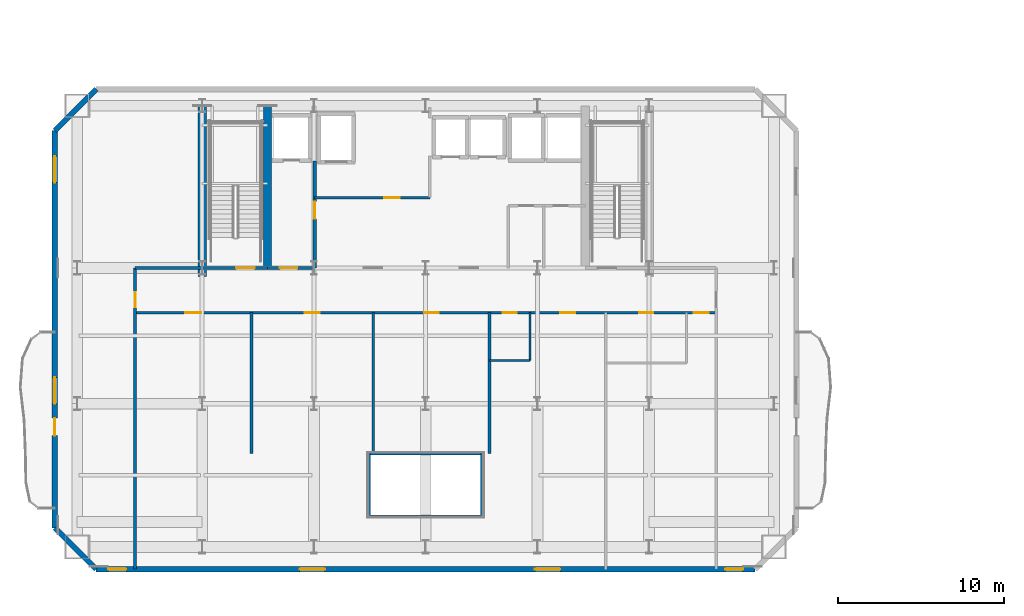
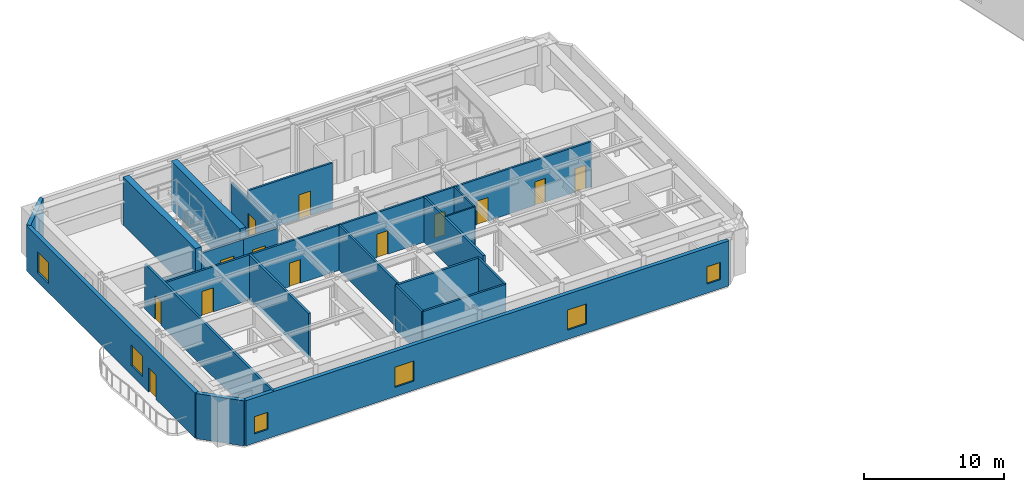
# One storey, part 7 of 15: 22 walls, 13 doors, 6 windows, 19 openings.
"""IFC4 building model written with IfcOpenShell, lengths in metres."""

from ifc_helpers import new_model, si_unit, direction, frame, frame_2d, origin, place, context, subcontext, project, spatial, rectangle, extrude, material, layer, layer_set, type_object, element, fill, save


model = new_model("IFC4")

# Units and contexts
model_context = context("Model", 3, precision=1e-05, world=origin(), true_north=direction((0.0, 1.0)))
body_context = subcontext(model_context, "Body", "Model", "MODEL_VIEW")
ifc_project = project(units=[si_unit("LENGTHUNIT", "METRE"), si_unit("AREAUNIT", "SQUARE_METRE"), si_unit("VOLUMEUNIT", "CUBIC_METRE"), si_unit("PLANEANGLEUNIT", "RADIAN"), si_unit("MASSUNIT", "GRAM", prefix="KILO")], contexts=[model_context])

# Site, building, storey
site_placement = place(None, origin())
site = spatial("IfcSite", under=ifc_project, at=site_placement, CompositionType="ELEMENT")
building_placement = place(site_placement, origin())
building = spatial("IfcBuilding", under=site, at=building_placement, Name="Haevon Station Towers", CompositionType="ELEMENT")
storey_placement = place(building_placement, frame((0.0, 0.0, 129.60009765625)))
storey = spatial("IfcBuildingStorey", under=building, at=storey_placement, Name="L35", CompositionType="ELEMENT", Elevation=129.60009765625)

# Wall, opening, door
ifc_material_1 = material(Name="Gypsum board on steel stud", Category="steel")
ifc_layer_1 = layer(ifc_material_1, 0.179931640625)
ifc_layer_set_1 = layer_set([ifc_layer_1], Name="Gypsum board on steel stud")
wall_type_1 = type_object("IfcWallType", Name="WL-ACU180", PredefinedType="PARTITIONING", material=ifc_layer_set_1)
wall_1_placement = place(storey_placement, frame((19.949951171875, 20.0, 0.0), z_axis=(0.0, 0.0, 1.0), x_axis=(0.0, 1.0, 0.0)))
wall_1 = element("IfcWall", 1, at=wall_1_placement, inside=storey, type_object=wall_type_1, Name="WL-T1PT-L35-03", PredefinedType="PARTITIONING", context=body_context, shape_type="SweptSolid", body=[
    extrude(rectangle(XDim=18.199951171875, YDim=0.179931640625, at=frame_2d((9.10009765625, 0.0))), origin(), (0.0, 0.0, 1.0), 3.929931640625),
])
opening_1_placement = place(wall_1_placement, frame((15.820068359375, 0.0, 0.0)))
opening_1 = element("IfcOpeningElement", 2, at=opening_1_placement, cuts=wall_1, Name="Opening DR-WL-T1PT-L35-03-01", PredefinedType="OPENING", context=body_context, shape_type="SweptSolid", body=[
    extrude(rectangle(XDim=0.89990234375, YDim=2.050048828125, at=frame_2d((0.449951171875, 1.02490234375))), frame((0.0, 0.099853515625, 0.0), z_axis=(0.0, -1.0, 0.0), x_axis=(1.0, 0.0, 0.0)), (0.0, 0.0, 1.0), 0.199951171875),
])
ifc_material_2 = material(Name="Engineered oak timber", Category="wood")
door_type_1 = type_object("IfcDoorType", Name="DR-INT-900", OperationType="NOTDEFINED", PredefinedType="DOOR", material=ifc_material_2)
door_1_placement = place(opening_1_placement, origin())
door_1 = element("IfcDoor", 3, at=door_1_placement, inside=storey, type_object=door_type_1, Name="L35 Tower 1 Room Door 3-1", OperationType="SINGLE_SWING_RIGHT", OverallHeight=2.050048828125, OverallWidth=0.89990234375, PredefinedType="DOOR", context=body_context, shape_type="SweptSolid", body=[
    extrude(rectangle(XDim=0.89990234375, YDim=2.050048828125, at=frame_2d((0.449951171875, 1.02490234375))), frame((0.0, 0.02490234375, 0.0), z_axis=(0.0, -1.0, 0.0), x_axis=(1.0, 0.0, 0.0)), (0.0, 0.0, 1.0), 0.050048828125),
])
fill(opening_1, door_1)

# Walls
wall_2_placement = place(storey_placement, frame((34.10009765625, 27.0, 0.0), z_axis=(0.0, 0.0, 1.0), x_axis=(1.0, 0.0, 0.0)))
element("IfcWall", 4, at=wall_2_placement, inside=storey, type_object=wall_type_1, Name="WL-T1PT-L35-06", PredefinedType="PARTITIONING", context=body_context, shape_type="SweptSolid", body=[
    extrude(rectangle(XDim=6.7998046875, YDim=0.179931640625, at=frame_2d((3.39990234375, 0.0))), origin(), (0.0, 0.0, 1.0), 3.929931640625),
])
for number, where, z_axis, x_axis, name in (
    (5, (26.969970703125, 27.0, 0.0), (0.0, 0.0, 1.0), (0.0, 1.0, 0.0), "WL-T1PT-L35-09"),
    (6, (41.361083984375, 27.0, 0.0), (0.0, 0.0, 1.0), (0.0, 1.0, 0.0), "WL-T1PT-L35-12"),
):
    element("IfcWall", number, at=place(storey_placement, frame(where, z_axis=z_axis, x_axis=x_axis)), inside=storey, type_object=wall_type_1, Name=name, PredefinedType="PARTITIONING", context=body_context, shape_type="SweptSolid", body=[
        extrude(rectangle(XDim=8.5, YDim=0.179931640625, at=frame_2d((4.25, 0.0))), origin(), (0.0, 0.0, 1.0), 3.929931640625),
    ])

# Wall, opening, door
ifc_layer_2 = layer(ifc_material_1, 0.199951171875)
ifc_layer_set_2 = layer_set([ifc_layer_2], Name="Gypsum board on steel stud")
wall_type_2 = type_object("IfcWallType", Name="WL-COR200", PredefinedType="PARTITIONING", material=ifc_layer_set_2)
wall_3_placement = place(storey_placement, frame((24.0, 38.199951171875, 0.0), z_axis=(0.0, 0.0, 1.0), x_axis=(1.0, 0.0, 0.0)))
wall_3 = element("IfcWall", 7, at=wall_3_placement, inside=storey, type_object=wall_type_2, Name="WL-ST-ST1-L35", PredefinedType="PARTITIONING", context=body_context, shape_type="SweptSolid", body=[
    extrude(rectangle(XDim=3.949951171875, YDim=0.199951171875, at=frame_2d((1.97509765625, 0.0))), origin(), (0.0, 0.0, 1.0), 3.27978515625),
])
opening_2_placement = place(wall_3_placement, frame((2.050048828125, 0.0, 0.0)))
opening_2 = element("IfcOpeningElement", 8, at=opening_2_placement, cuts=wall_3, Name="Opening DR-ST-ST1-L35", PredefinedType="OPENING", context=body_context, shape_type="SweptSolid", body=[
    extrude(rectangle(XDim=1.1201171875, YDim=2.10009765625, at=frame_2d((0.56005859375, 1.050048828125))), frame((0.0, 0.10986328125, 0.0), z_axis=(0.0, -1.0, 0.0), x_axis=(1.0, 0.0, 0.0)), (0.0, 0.0, 1.0), 0.219970703125),
])
door_type_2 = type_object("IfcDoorType", Name="DR-ST-1120", OperationType="NOTDEFINED", PredefinedType="DOOR", material=ifc_material_2)
door_2_placement = place(opening_2_placement, origin())
door_2 = element("IfcDoor", 9, at=door_2_placement, inside=storey, type_object=door_type_2, Name="L35 Escape Stair ST1 Fire Door", OperationType="SINGLE_SWING_RIGHT", OverallHeight=2.10009765625, OverallWidth=1.1201171875, PredefinedType="DOOR", context=body_context, shape_type="SweptSolid", body=[
    extrude(rectangle(XDim=1.1201171875, YDim=2.10009765625, at=frame_2d((0.56005859375, 1.050048828125))), frame((0.0, 0.02490234375, 0.0), z_axis=(0.0, -1.0, 0.0), x_axis=(1.0, 0.0, 0.0)), (0.0, 0.0, 1.0), 0.050048828125),
])
fill(opening_2, door_2)

wall_4_placement = place(storey_placement, frame((30.800048828125, 38.199951171875, 0.0), z_axis=(0.0, 0.0, 1.0), x_axis=(0.0, 1.0, 0.0)))
wall_4 = element("IfcWall", 10, at=wall_4_placement, inside=storey, type_object=wall_type_2, Name="WL-T1FFL-L35-E", PredefinedType="PARTITIONING", context=body_context, shape_type="SweptSolid", body=[
    extrude(rectangle(XDim=6.449951171875, YDim=0.199951171875, at=frame_2d((3.22509765625, 0.0))), origin(), (0.0, 0.0, 1.0), 3.27978515625),
])
opening_3_placement = place(wall_4_placement, frame((2.9599609375, 0.0, 0.0)))
opening_3 = element("IfcOpeningElement", 11, at=opening_3_placement, cuts=wall_4, Name="Opening DR-T1FFL-L35-E", PredefinedType="OPENING", context=body_context, shape_type="SweptSolid", body=[
    extrude(rectangle(XDim=1.050048828125, YDim=2.10009765625, at=frame_2d((0.52490234375, 1.050048828125))), frame((0.0, 0.10986328125, 0.0), z_axis=(0.0, -1.0, 0.0), x_axis=(1.0, 0.0, 0.0)), (0.0, 0.0, 1.0), 0.219970703125),
])
door_type_3 = type_object("IfcDoorType", Name="DR-FD60-1050", OperationType="NOTDEFINED", PredefinedType="DOOR", material=ifc_material_2)
door_3_placement = place(opening_3_placement, origin())
door_3 = element("IfcDoor", 12, at=door_3_placement, inside=storey, type_object=door_type_3, Name="L35 Tower 1 Firefighting Lift Lobby Door E", OperationType="SINGLE_SWING_RIGHT", OverallHeight=2.10009765625, OverallWidth=1.050048828125, PredefinedType="DOOR", context=body_context, shape_type="SweptSolid", body=[
    extrude(rectangle(XDim=1.050048828125, YDim=2.10009765625, at=frame_2d((0.52490234375, 1.050048828125))), frame((0.0, 0.02490234375, 0.0), z_axis=(0.0, -1.0, 0.0), x_axis=(1.0, 0.0, 0.0)), (0.0, 0.0, 1.0), 0.050048828125),
])
fill(opening_3, door_3)

wall_5_placement = place(storey_placement, frame((27.949951171875, 38.199951171875, 0.0), z_axis=(0.0, 0.0, 1.0), x_axis=(1.0, 0.0, 0.0)))
wall_5 = element("IfcWall", 13, at=wall_5_placement, inside=storey, type_object=wall_type_2, Name="WL-T1FFL-L35-S", PredefinedType="PARTITIONING", context=body_context, shape_type="SweptSolid", body=[
    extrude(rectangle(XDim=2.85009765625, YDim=0.199951171875, at=frame_2d((1.425048828125, 0.0))), origin(), (0.0, 0.0, 1.0), 3.27978515625),
])
opening_4_placement = place(wall_5_placement, frame((0.75, 0.0, 0.0)))
opening_4 = element("IfcOpeningElement", 14, at=opening_4_placement, cuts=wall_5, Name="Opening DR-T1FFL-L35-S", PredefinedType="OPENING", context=body_context, shape_type="SweptSolid", body=[
    extrude(rectangle(XDim=1.050048828125, YDim=2.10009765625, at=frame_2d((0.52490234375, 1.050048828125))), frame((0.0, 0.10986328125, 0.0), z_axis=(0.0, -1.0, 0.0), x_axis=(1.0, 0.0, 0.0)), (0.0, 0.0, 1.0), 0.219970703125),
])
door_4_placement = place(opening_4_placement, origin())
door_4 = element("IfcDoor", 15, at=door_4_placement, inside=storey, type_object=door_type_3, Name="L35 Tower 1 Firefighting Lift Lobby Door S", OperationType="SINGLE_SWING_LEFT", OverallHeight=2.10009765625, OverallWidth=1.050048828125, PredefinedType="DOOR", context=body_context, shape_type="SweptSolid", body=[
    extrude(rectangle(XDim=1.050048828125, YDim=2.10009765625, at=frame_2d((0.52490234375, 1.050048828125))), frame((0.0, 0.02490234375, 0.0), z_axis=(0.0, -1.0, 0.0), x_axis=(1.0, 0.0, 0.0)), (0.0, 0.0, 1.0), 0.050048828125),
])
fill(opening_4, door_4)

# Walls
ifc_material_3 = material(Name="Concrete C60/75", Category="concrete")
ifc_layer_3 = layer(ifc_material_3, 0.5)
ifc_layer_set_3 = layer_set([ifc_layer_3], Name="Concrete C60/75")
wall_type_3 = type_object("IfcWallType", Name="WL-CR500", PredefinedType="SHEAR", material=ifc_layer_set_3)
wall_6_placement = place(storey_placement, frame((24.0, 37.679931640625, 0.0), z_axis=(0.0, 0.0, 1.0), x_axis=(0.0, 1.0, 0.0)))
element("IfcWall", 16, at=wall_6_placement, inside=storey, type_object=wall_type_3, Name="WL-T1CR-L35-W", PredefinedType="SHEAR", context=body_context, shape_type="SweptSolid", body=[
    extrude(rectangle(XDim=10.320068359375, YDim=0.5, at=frame_2d((5.16015625, 0.0))), origin(), (0.0, 0.0, 1.0), 4.199951171875),
])
wall_7_placement = place(storey_placement, frame((27.949951171875, 38.199951171875, 0.0), z_axis=(0.0, 0.0, 1.0), x_axis=(0.0, 1.0, 0.0)))
element("IfcWall", 17, at=wall_7_placement, inside=storey, type_object=wall_type_3, Name="WL-T1CR-L35-M1", PredefinedType="SHEAR", context=body_context, shape_type="SweptSolid", body=[
    extrude(rectangle(XDim=9.800048828125, YDim=0.5, at=frame_2d((4.89990234375, 0.0))), origin(), (0.0, 0.0, 1.0), 4.199951171875),
])

# Wall, openings, windows
ifc_material_4 = material(Name="Precast concrete C45/55", Category="concrete")
ifc_layer_4 = layer(ifc_material_4, 0.320068359375)
ifc_layer_set_4 = layer_set([ifc_layer_4], Name="Precast concrete C45/55")
wall_type_4 = type_object("IfcWallType", Name="WL-EXT-PIER320", PredefinedType="SOLIDWALL", material=ifc_layer_set_4)
wall_8_placement = place(storey_placement, frame((57.39990234375, 20.0, 0.0), z_axis=(0.0, 0.0, 1.0), x_axis=(-1.0, 0.0, 0.0)))
wall_8 = element("IfcWall", 18, at=wall_8_placement, inside=storey, type_object=wall_type_4, Name="WL-T1-L35-S", PredefinedType="SOLIDWALL", context=body_context, shape_type="SweptSolid", body=[
    extrude(rectangle(XDim=39.7998046875, YDim=0.320068359375, at=frame_2d((19.89990234375, 0.0))), origin(), (0.0, 0.0, 1.0), 3.929931640625),
])
opening_5_placement = place(wall_8_placement, frame((37.985107421875, 0.0, 0.800048828125)))
opening_5 = element("IfcOpeningElement", 19, at=opening_5_placement, cuts=wall_8, Name="Opening WN-COR110", PredefinedType="OPENING", context=body_context, shape_type="SweptSolid", body=[
    extrude(rectangle(XDim=1.10009765625, YDim=1.5, at=frame_2d((0.550048828125, 0.75))), frame((0.0, 0.169921875, 0.0), z_axis=(0.0, -1.0, 0.0), x_axis=(1.0, 0.0, 0.0)), (0.0, 0.0, 1.0), 0.340087890625),
])
opening_6_placement = place(wall_8_placement, frame((0.715087890625, 0.0, 0.800048828125)))
opening_6 = element("IfcOpeningElement", 20, at=opening_6_placement, cuts=wall_8, Name="Opening WN-COR110", PredefinedType="OPENING", context=body_context, shape_type="SweptSolid", body=[
    extrude(rectangle(XDim=1.10009765625, YDim=1.5, at=frame_2d((0.550048828125, 0.75))), frame((0.0, 0.169921875, 0.0), z_axis=(0.0, -1.0, 0.0), x_axis=(1.0, 0.0, 0.0)), (0.0, 0.0, 1.0), 0.340087890625),
])
opening_7_placement = place(wall_8_placement, frame((25.969482421875, 0.0, 0.800048828125)))
opening_7 = element("IfcOpeningElement", 21, at=opening_7_placement, cuts=wall_8, Name="Opening WN-P155", PredefinedType="OPENING", context=body_context, shape_type="SweptSolid", body=[
    extrude(rectangle(XDim=1.550048828125, YDim=1.75, at=frame_2d((0.77490234375, 0.875))), frame((0.0, 0.169921875, 0.0), z_axis=(0.0, -1.0, 0.0), x_axis=(1.0, 0.0, 0.0)), (0.0, 0.0, 1.0), 0.340087890625),
])
opening_8_placement = place(wall_8_placement, frame((11.75390625, 0.0, 0.800048828125)))
opening_8 = element("IfcOpeningElement", 22, at=opening_8_placement, cuts=wall_8, Name="Opening WN-P155", PredefinedType="OPENING", context=body_context, shape_type="SweptSolid", body=[
    extrude(rectangle(XDim=1.550048828125, YDim=1.75, at=frame_2d((0.77490234375, 0.875))), frame((0.0, 0.169921875, 0.0), z_axis=(0.0, -1.0, 0.0), x_axis=(1.0, 0.0, 0.0)), (0.0, 0.0, 1.0), 0.340087890625),
])
ifc_material_5 = material(Name="Low-E triple glazing in thermally broken aluminium", Category="aluminium")
window_type_1 = type_object("IfcWindowType", Name="WN-COR110", PartitioningType="SINGLE_PANEL", PredefinedType="WINDOW", material=ifc_material_5)
window_1_placement = place(opening_5_placement, origin())
window_1 = element("IfcWindow", 23, at=window_1_placement, inside=storey, type_object=window_type_1, Name="WN-T1-L35-S01", OverallHeight=1.5, OverallWidth=1.10009765625, PartitioningType="SINGLE_PANEL", PredefinedType="WINDOW", context=body_context, shape_type="SweptSolid", body=[
    extrude(rectangle(XDim=1.10009765625, YDim=1.5, at=frame_2d((0.550048828125, 0.75))), frame((0.0, 0.030029296875, 0.0), z_axis=(0.0, -1.0, 0.0), x_axis=(1.0, 0.0, 0.0)), (0.0, 0.0, 1.0), 0.06005859375),
])
fill(opening_5, window_1)
window_2_placement = place(opening_6_placement, origin())
window_2 = element("IfcWindow", 24, at=window_2_placement, inside=storey, type_object=window_type_1, Name="WN-T1-L35-S02", OverallHeight=1.5, OverallWidth=1.10009765625, PartitioningType="SINGLE_PANEL", PredefinedType="WINDOW", context=body_context, shape_type="SweptSolid", body=[
    extrude(rectangle(XDim=1.10009765625, YDim=1.5, at=frame_2d((0.550048828125, 0.75))), frame((0.0, 0.030029296875, 0.0), z_axis=(0.0, -1.0, 0.0), x_axis=(1.0, 0.0, 0.0)), (0.0, 0.0, 1.0), 0.06005859375),
])
fill(opening_6, window_2)
window_type_2 = type_object("IfcWindowType", Name="WN-P155", PartitioningType="SINGLE_PANEL", PredefinedType="WINDOW", material=ifc_material_5)
window_3_placement = place(opening_7_placement, origin())
window_3 = element("IfcWindow", 25, at=window_3_placement, inside=storey, type_object=window_type_2, Name="WN-T1-L35-S03", OverallHeight=1.75, OverallWidth=1.550048828125, PartitioningType="SINGLE_PANEL", PredefinedType="WINDOW", context=body_context, shape_type="SweptSolid", body=[
    extrude(rectangle(XDim=1.550048828125, YDim=1.75, at=frame_2d((0.77490234375, 0.875))), frame((0.0, 0.030029296875, 0.0), z_axis=(0.0, -1.0, 0.0), x_axis=(1.0, 0.0, 0.0)), (0.0, 0.0, 1.0), 0.06005859375),
])
fill(opening_7, window_3)
window_4_placement = place(opening_8_placement, origin())
window_4 = element("IfcWindow", 26, at=window_4_placement, inside=storey, type_object=window_type_2, Name="WN-T1-L35-S04", OverallHeight=1.75, OverallWidth=1.550048828125, PartitioningType="SINGLE_PANEL", PredefinedType="WINDOW", context=body_context, shape_type="SweptSolid", body=[
    extrude(rectangle(XDim=1.550048828125, YDim=1.75, at=frame_2d((0.77490234375, 0.875))), frame((0.0, 0.030029296875, 0.0), z_axis=(0.0, -1.0, 0.0), x_axis=(1.0, 0.0, 0.0)), (0.0, 0.0, 1.0), 0.06005859375),
])
fill(opening_8, window_4)

# Wall
wall_9_placement = place(storey_placement, frame((17.60009765625, 20.0, 0.0), z_axis=(0.0, 0.0, 1.0), x_axis=(-0.707106781187, 0.707106781187, 0.0)))
element("IfcWall", 27, at=wall_9_placement, inside=storey, type_object=wall_type_4, Name="WL-T1-L35-SWC", PredefinedType="SOLIDWALL", context=body_context, shape_type="SweptSolid", body=[
    extrude(rectangle(XDim=3.53564453125, YDim=0.320068359375, at=frame_2d((1.767822265625, 0.0))), origin(), (0.0, 0.0, 1.0), 3.929931640625),
])

# Wall, openings, door, windows
wall_10_placement = place(storey_placement, frame((15.10009765625, 22.5, 0.0), z_axis=(0.0, 0.0, 1.0), x_axis=(0.0, 1.0, 0.0)))
wall_10 = element("IfcWall", 28, at=wall_10_placement, inside=storey, type_object=wall_type_4, Name="WL-T1-L35-W", PredefinedType="SOLIDWALL", context=body_context, shape_type="SweptSolid", body=[
    extrude(rectangle(XDim=24.0, YDim=0.320068359375, at=frame_2d((12.0, 0.0))), origin(), (0.0, 0.0, 1.0), 3.929931640625),
])
opening_9_placement = place(wall_10_placement, frame((5.574951171875, 0.0, 0.0)))
opening_9 = element("IfcOpeningElement", 29, at=opening_9_placement, cuts=wall_10, Name="Opening DR-T1-SCAL-L35-W", PredefinedType="OPENING", context=body_context, shape_type="SweptSolid", body=[
    extrude(rectangle(XDim=1.050048828125, YDim=2.10009765625, at=frame_2d((0.52490234375, 1.050048828125))), frame((0.0, 0.169921875, 0.0), z_axis=(0.0, -1.0, 0.0), x_axis=(1.0, 0.0, 0.0)), (0.0, 0.0, 1.0), 0.340087890625),
])
opening_10_placement = place(wall_10_placement, frame((7.485595703125, 0.0, 0.800048828125)))
opening_10 = element("IfcOpeningElement", 30, at=opening_10_placement, cuts=wall_10, Name="Opening WN-END160", PredefinedType="OPENING", context=body_context, shape_type="SweptSolid", body=[
    extrude(rectangle(XDim=1.60009765625, YDim=1.800048828125, at=frame_2d((0.800048828125, 0.89990234375))), frame((0.0, 0.169921875, 0.0), z_axis=(0.0, -1.0, 0.0), x_axis=(1.0, 0.0, 0.0)), (0.0, 0.0, 1.0), 0.340087890625),
])
opening_11_placement = place(wall_10_placement, frame((20.857177734375, 0.0, 0.800048828125)))
opening_11 = element("IfcOpeningElement", 31, at=opening_11_placement, cuts=wall_10, Name="Opening WN-END160", PredefinedType="OPENING", context=body_context, shape_type="SweptSolid", body=[
    extrude(rectangle(XDim=1.60009765625, YDim=1.800048828125, at=frame_2d((0.800048828125, 0.89990234375))), frame((0.0, 0.169921875, 0.0), z_axis=(0.0, -1.0, 0.0), x_axis=(1.0, 0.0, 0.0)), (0.0, 0.0, 1.0), 0.340087890625),
])
ifc_material_6 = material(Name="Thermally broken anodised aluminium and laminated safety glass", Category="aluminium")
door_type_4 = type_object("IfcDoorType", Name="DR-BALC-1050", OperationType="NOTDEFINED", PredefinedType="DOOR", material=ifc_material_6)
door_5_placement = place(opening_9_placement, origin())
door_5 = element("IfcDoor", 32, at=door_5_placement, inside=storey, type_object=door_type_4, Name="Tower 1 L35 West Scalloped Balcony Door", OperationType="SINGLE_SWING_RIGHT", OverallHeight=2.10009765625, OverallWidth=1.050048828125, PredefinedType="DOOR", context=body_context, shape_type="SweptSolid", body=[
    extrude(rectangle(XDim=1.050048828125, YDim=2.10009765625, at=frame_2d((0.52490234375, 1.050048828125))), frame((0.0, 0.02490234375, 0.0), z_axis=(0.0, -1.0, 0.0), x_axis=(1.0, 0.0, 0.0)), (0.0, 0.0, 1.0), 0.050048828125),
])
fill(opening_9, door_5)
window_type_3 = type_object("IfcWindowType", Name="WN-END160", PartitioningType="SINGLE_PANEL", PredefinedType="WINDOW", material=ifc_material_5)
window_5_placement = place(opening_10_placement, origin())
window_5 = element("IfcWindow", 33, at=window_5_placement, inside=storey, type_object=window_type_3, Name="WN-T1-L35-W01", OverallHeight=1.800048828125, OverallWidth=1.60009765625, PartitioningType="SINGLE_PANEL", PredefinedType="WINDOW", context=body_context, shape_type="SweptSolid", body=[
    extrude(rectangle(XDim=1.60009765625, YDim=1.800048828125, at=frame_2d((0.800048828125, 0.89990234375))), frame((0.0, 0.030029296875, 0.0), z_axis=(0.0, -1.0, 0.0), x_axis=(1.0, 0.0, 0.0)), (0.0, 0.0, 1.0), 0.06005859375),
])
fill(opening_10, window_5)
window_6_placement = place(opening_11_placement, origin())
window_6 = element("IfcWindow", 34, at=window_6_placement, inside=storey, type_object=window_type_3, Name="WN-T1-L35-W02", OverallHeight=1.800048828125, OverallWidth=1.60009765625, PartitioningType="SINGLE_PANEL", PredefinedType="WINDOW", context=body_context, shape_type="SweptSolid", body=[
    extrude(rectangle(XDim=1.60009765625, YDim=1.800048828125, at=frame_2d((0.800048828125, 0.89990234375))), frame((0.0, 0.030029296875, 0.0), z_axis=(0.0, -1.0, 0.0), x_axis=(1.0, 0.0, 0.0)), (0.0, 0.0, 1.0), 0.06005859375),
])
fill(opening_11, window_6)

# Walls
wall_11_placement = place(storey_placement, frame((15.10009765625, 46.5, 0.0), z_axis=(0.0, 0.0, 1.0), x_axis=(0.707106781187, 0.707106781187, 0.0)))
element("IfcWall", 35, at=wall_11_placement, inside=storey, type_object=wall_type_4, Name="WL-T1-L35-NWC", PredefinedType="SOLIDWALL", context=body_context, shape_type="SweptSolid", body=[
    extrude(rectangle(XDim=3.53564453125, YDim=0.320068359375, at=frame_2d((1.767822265625, 0.0))), origin(), (0.0, 0.0, 1.0), 3.929931640625),
])
ifc_layer_5 = layer(ifc_material_1, 0.125)
ifc_layer_set_5 = layer_set([ifc_layer_5], Name="Gypsum board on steel stud")
wall_type_5 = type_object("IfcWallType", Name="WL-PRT125", PredefinedType="PARTITIONING", material=ifc_layer_set_5)
wall_12_placement = place(storey_placement, frame((41.361083984375, 32.60009765625, 0.0), z_axis=(0.0, 0.0, 1.0), x_axis=(1.0, 0.0, 0.0)))
element("IfcWall", 36, at=wall_12_placement, inside=storey, type_object=wall_type_5, Name="WL-T1PT-L35-14", PredefinedType="PARTITIONING", context=body_context, shape_type="SweptSolid", body=[
    extrude(rectangle(XDim=2.449951171875, YDim=0.125, at=frame_2d((1.22509765625, 0.0))), origin(), (0.0, 0.0, 1.0), 3.929931640625),
])
wall_13_placement = place(storey_placement, frame((43.81103515625, 32.60009765625, 0.0), z_axis=(0.0, 0.0, 1.0), x_axis=(0.0, 1.0, 0.0)))
element("IfcWall", 37, at=wall_13_placement, inside=storey, type_object=wall_type_5, Name="WL-T1PT-L35-15", PredefinedType="PARTITIONING", context=body_context, shape_type="SweptSolid", body=[
    extrude(rectangle(XDim=2.89990234375, YDim=0.125, at=frame_2d((1.449951171875, 0.0))), origin(), (0.0, 0.0, 1.0), 3.929931640625),
])

# Wall, opening, door
ifc_layer_6 = layer(ifc_material_1, 0.159912109375)
ifc_layer_set_6 = layer_set([ifc_layer_6], Name="Gypsum board on steel stud")
wall_type_6 = type_object("IfcWallType", Name="WL-PRT160", PredefinedType="PARTITIONING", material=ifc_layer_set_6)
wall_14_placement = place(storey_placement, frame((30.800048828125, 42.449951171875, 0.0), z_axis=(0.0, 0.0, 1.0), x_axis=(1.0, 0.0, 0.0)))
wall_14 = element("IfcWall", 38, at=wall_14_placement, inside=storey, type_object=wall_type_6, Name="WL-T1CW-L35-01", PredefinedType="PARTITIONING", context=body_context, shape_type="SweptSolid", body=[
    extrude(rectangle(XDim=6.949951171875, YDim=0.159912109375, at=frame_2d((3.47509765625, 0.0))), origin(), (0.0, 0.0, 1.0), 3.929931640625),
])
opening_12_placement = place(wall_14_placement, frame((4.199951171875, 0.0, 0.0)))
opening_12 = element("IfcOpeningElement", 39, at=opening_12_placement, cuts=wall_14, Name="Opening DR-WL-T1CW-L35-01-1", PredefinedType="OPENING", context=body_context, shape_type="SweptSolid", body=[
    extrude(rectangle(XDim=0.949951171875, YDim=2.10009765625, at=frame_2d((0.47509765625, 1.050048828125))), frame((0.0, 0.08984375, 0.0), z_axis=(0.0, -1.0, 0.0), x_axis=(1.0, 0.0, 0.0)), (0.0, 0.0, 1.0), 0.179931640625),
])
door_type_5 = type_object("IfcDoorType", Name="DR-FD60-950", OperationType="NOTDEFINED", PredefinedType="DOOR", material=ifc_material_2)
door_6_placement = place(opening_12_placement, origin())
door_6 = element("IfcDoor", 40, at=door_6_placement, inside=storey, type_object=door_type_5, Name="L35 Tower 1 Core Room Door 1-1", OperationType="SINGLE_SWING_LEFT", OverallHeight=2.10009765625, OverallWidth=0.949951171875, PredefinedType="DOOR", context=body_context, shape_type="SweptSolid", body=[
    extrude(rectangle(XDim=0.949951171875, YDim=2.10009765625, at=frame_2d((0.47509765625, 1.050048828125))), frame((0.0, 0.02490234375, 0.0), z_axis=(0.0, -1.0, 0.0), x_axis=(1.0, 0.0, 0.0)), (0.0, 0.0, 1.0), 0.050048828125),
])
fill(opening_12, door_6)

# Walls
wall_15_placement = place(storey_placement, frame((19.949951171875, 38.199951171875, 0.0), z_axis=(0.0, 0.0, 1.0), x_axis=(1.0, 0.0, 0.0)))
element("IfcWall", 41, at=wall_15_placement, inside=storey, type_object=wall_type_6, Name="WL-T1PT-L35-01", PredefinedType="PARTITIONING", context=body_context, shape_type="SweptSolid", body=[
    extrude(rectangle(XDim=4.050048828125, YDim=0.159912109375, at=frame_2d((2.02490234375, 0.0))), origin(), (0.0, 0.0, 1.0), 2.1298828125),
])
wall_16_placement = place(storey_placement, frame((34.10009765625, 23.199951171875, 0.0), z_axis=(0.0, 0.0, 1.0), x_axis=(1.0, 0.0, 0.0)))
element("IfcWall", 42, at=wall_16_placement, inside=storey, type_object=wall_type_6, Name="WL-T1PT-L35-05", PredefinedType="PARTITIONING", context=body_context, shape_type="SweptSolid", body=[
    extrude(rectangle(XDim=6.7998046875, YDim=0.159912109375, at=frame_2d((3.39990234375, 0.0))), origin(), (0.0, 0.0, 1.0), 3.929931640625),
])
for number, where, z_axis, x_axis, name in (
    (43, (34.10009765625, 23.199951171875, 0.0), (0.0, 0.0, 1.0), (0.0, 1.0, 0.0), "WL-T1PT-L35-07"),
    (44, (40.89990234375, 23.199951171875, 0.0), (0.0, 0.0, 1.0), (0.0, 1.0, 0.0), "WL-T1PT-L35-08"),
):
    element("IfcWall", number, at=place(storey_placement, frame(where, z_axis=z_axis, x_axis=x_axis)), inside=storey, type_object=wall_type_6, Name=name, PredefinedType="PARTITIONING", context=body_context, shape_type="SweptSolid", body=[
        extrude(rectangle(XDim=3.800048828125, YDim=0.159912109375, at=frame_2d((1.89990234375, 0.0))), origin(), (0.0, 0.0, 1.0), 3.929931640625),
    ])
wall_17_placement = place(storey_placement, frame((34.341064453125, 27.0, 0.0), z_axis=(0.0, 0.0, 1.0), x_axis=(0.0, 1.0, 0.0)))
element("IfcWall", 45, at=wall_17_placement, inside=storey, type_object=wall_type_6, Name="WL-T1PT-L35-10", PredefinedType="PARTITIONING", context=body_context, shape_type="SweptSolid", body=[
    extrude(rectangle(XDim=8.5, YDim=0.159912109375, at=frame_2d((4.25, 0.0))), origin(), (0.0, 0.0, 1.0), 3.929931640625),
])

# Wall, openings, doors
wall_18_placement = place(storey_placement, frame((19.949951171875, 35.5, 0.0), z_axis=(0.0, 0.0, 1.0), x_axis=(1.0, 0.0, 0.0)))
wall_18 = element("IfcWall", 46, at=wall_18_placement, inside=storey, type_object=wall_type_6, Name="WL-T1PT-L35-19", PredefinedType="PARTITIONING", context=body_context, shape_type="SweptSolid", body=[
    extrude(rectangle(XDim=35.10009765625, YDim=0.159912109375, at=frame_2d((17.550048828125, 0.0))), origin(), (0.0, 0.0, 1.0), 3.929931640625),
])
opening_13_placement = place(wall_18_placement, frame((3.034912109375, 0.0, 0.0)))
opening_13 = element("IfcOpeningElement", 47, at=opening_13_placement, cuts=wall_18, Name="Opening DR-WL-T1PT-L35-19-01", PredefinedType="OPENING", context=body_context, shape_type="SweptSolid", body=[
    extrude(rectangle(XDim=0.949951171875, YDim=2.10009765625, at=frame_2d((0.47509765625, 1.050048828125))), frame((0.0, 0.08984375, 0.0), z_axis=(0.0, -1.0, 0.0), x_axis=(1.0, 0.0, 0.0)), (0.0, 0.0, 1.0), 0.179931640625),
])
opening_14_placement = place(wall_18_placement, frame((10.256103515625, 0.0, 0.0)))
opening_14 = element("IfcOpeningElement", 48, at=opening_14_placement, cuts=wall_18, Name="Opening DR-WL-T1PT-L35-19-02", PredefinedType="OPENING", context=body_context, shape_type="SweptSolid", body=[
    extrude(rectangle(XDim=0.89990234375, YDim=2.050048828125, at=frame_2d((0.449951171875, 1.02490234375))), frame((0.0, 0.08984375, 0.0), z_axis=(0.0, -1.0, 0.0), x_axis=(1.0, 0.0, 0.0)), (0.0, 0.0, 1.0), 0.179931640625),
])
opening_15_placement = place(wall_18_placement, frame((17.450927734375, 0.0, 0.0)))
opening_15 = element("IfcOpeningElement", 49, at=opening_15_placement, cuts=wall_18, Name="Opening DR-WL-T1PT-L35-19-03", PredefinedType="OPENING", context=body_context, shape_type="SweptSolid", body=[
    extrude(rectangle(XDim=0.89990234375, YDim=2.050048828125, at=frame_2d((0.449951171875, 1.02490234375))), frame((0.0, 0.08984375, 0.0), z_axis=(0.0, -1.0, 0.0), x_axis=(1.0, 0.0, 0.0)), (0.0, 0.0, 1.0), 0.179931640625),
])
opening_16_placement = place(wall_18_placement, frame((22.2109375, 0.0, 0.0)))
opening_16 = element("IfcOpeningElement", 50, at=opening_16_placement, cuts=wall_18, Name="Opening DR-WL-T1PT-L35-19-04", PredefinedType="OPENING", context=body_context, shape_type="SweptSolid", body=[
    extrude(rectangle(XDim=0.85009765625, YDim=2.050048828125, at=frame_2d((0.425048828125, 1.02490234375))), frame((0.0, 0.08984375, 0.0), z_axis=(0.0, -1.0, 0.0), x_axis=(1.0, 0.0, 0.0)), (0.0, 0.0, 1.0), 0.179931640625),
])
opening_17_placement = place(wall_18_placement, frame((25.696044921875, 0.0, 0.0)))
opening_17 = element("IfcOpeningElement", 51, at=opening_17_placement, cuts=wall_18, Name="Opening DR-WL-T1PT-L35-19-05", PredefinedType="OPENING", context=body_context, shape_type="SweptSolid", body=[
    extrude(rectangle(XDim=0.89990234375, YDim=2.050048828125, at=frame_2d((0.449951171875, 1.02490234375))), frame((0.0, 0.08984375, 0.0), z_axis=(0.0, -1.0, 0.0), x_axis=(1.0, 0.0, 0.0)), (0.0, 0.0, 1.0), 0.179931640625),
])
opening_18_placement = place(wall_18_placement, frame((30.450927734375, 0.0, 0.0)))
opening_18 = element("IfcOpeningElement", 52, at=opening_18_placement, cuts=wall_18, Name="Opening DR-WL-T1PT-L35-19-06", PredefinedType="OPENING", context=body_context, shape_type="SweptSolid", body=[
    extrude(rectangle(XDim=0.85009765625, YDim=2.050048828125, at=frame_2d((0.425048828125, 1.02490234375))), frame((0.0, 0.08984375, 0.0), z_axis=(0.0, -1.0, 0.0), x_axis=(1.0, 0.0, 0.0)), (0.0, 0.0, 1.0), 0.179931640625),
])
opening_19_placement = place(wall_18_placement, frame((33.760009765625, 0.0, 0.0)))
opening_19 = element("IfcOpeningElement", 53, at=opening_19_placement, cuts=wall_18, Name="Opening DR-WL-T1PT-L35-19-07", PredefinedType="OPENING", context=body_context, shape_type="SweptSolid", body=[
    extrude(rectangle(XDim=0.89990234375, YDim=2.050048828125, at=frame_2d((0.449951171875, 1.02490234375))), frame((0.0, 0.08984375, 0.0), z_axis=(0.0, -1.0, 0.0), x_axis=(1.0, 0.0, 0.0)), (0.0, 0.0, 1.0), 0.179931640625),
])
door_type_6 = type_object("IfcDoorType", Name="DR-FD30-850", OperationType="NOTDEFINED", PredefinedType="DOOR", material=ifc_material_2)
door_7_placement = place(opening_16_placement, origin())
door_7 = element("IfcDoor", 54, at=door_7_placement, inside=storey, type_object=door_type_6, Name="L35 Tower 1 Room Door 19-4", OperationType="SINGLE_SWING_LEFT", OverallHeight=2.050048828125, OverallWidth=0.85009765625, PredefinedType="DOOR", context=body_context, shape_type="SweptSolid", body=[
    extrude(rectangle(XDim=0.85009765625, YDim=2.050048828125, at=frame_2d((0.425048828125, 1.02490234375))), frame((0.0, 0.02490234375, 0.0), z_axis=(0.0, -1.0, 0.0), x_axis=(1.0, 0.0, 0.0)), (0.0, 0.0, 1.0), 0.050048828125),
])
fill(opening_16, door_7)
door_8_placement = place(opening_18_placement, origin())
door_8 = element("IfcDoor", 55, at=door_8_placement, inside=storey, type_object=door_type_6, Name="L35 Tower 1 Room Door 19-6", OperationType="SINGLE_SWING_LEFT", OverallHeight=2.050048828125, OverallWidth=0.85009765625, PredefinedType="DOOR", context=body_context, shape_type="SweptSolid", body=[
    extrude(rectangle(XDim=0.85009765625, YDim=2.050048828125, at=frame_2d((0.425048828125, 1.02490234375))), frame((0.0, 0.02490234375, 0.0), z_axis=(0.0, -1.0, 0.0), x_axis=(1.0, 0.0, 0.0)), (0.0, 0.0, 1.0), 0.050048828125),
])
fill(opening_18, door_8)
door_type_7 = type_object("IfcDoorType", Name="DR-FD30-950", OperationType="NOTDEFINED", PredefinedType="DOOR", material=ifc_material_2)
door_9_placement = place(opening_13_placement, origin())
door_9 = element("IfcDoor", 56, at=door_9_placement, inside=storey, type_object=door_type_7, Name="L35 Tower 1 Room Door 19-1", OperationType="SINGLE_SWING_RIGHT", OverallHeight=2.10009765625, OverallWidth=0.949951171875, PredefinedType="DOOR", context=body_context, shape_type="SweptSolid", body=[
    extrude(rectangle(XDim=0.949951171875, YDim=2.10009765625, at=frame_2d((0.47509765625, 1.050048828125))), frame((0.0, 0.02490234375, 0.0), z_axis=(0.0, -1.0, 0.0), x_axis=(1.0, 0.0, 0.0)), (0.0, 0.0, 1.0), 0.050048828125),
])
fill(opening_13, door_9)
door_10_placement = place(opening_14_placement, origin())
door_10 = element("IfcDoor", 57, at=door_10_placement, inside=storey, type_object=door_type_1, Name="L35 Tower 1 Room Door 19-2", OperationType="SINGLE_SWING_LEFT", OverallHeight=2.050048828125, OverallWidth=0.89990234375, PredefinedType="DOOR", context=body_context, shape_type="SweptSolid", body=[
    extrude(rectangle(XDim=0.89990234375, YDim=2.050048828125, at=frame_2d((0.449951171875, 1.02490234375))), frame((0.0, 0.02490234375, 0.0), z_axis=(0.0, -1.0, 0.0), x_axis=(1.0, 0.0, 0.0)), (0.0, 0.0, 1.0), 0.050048828125),
])
fill(opening_14, door_10)
door_11_placement = place(opening_15_placement, origin())
door_11 = element("IfcDoor", 58, at=door_11_placement, inside=storey, type_object=door_type_1, Name="L35 Tower 1 Room Door 19-3", OperationType="SINGLE_SWING_RIGHT", OverallHeight=2.050048828125, OverallWidth=0.89990234375, PredefinedType="DOOR", context=body_context, shape_type="SweptSolid", body=[
    extrude(rectangle(XDim=0.89990234375, YDim=2.050048828125, at=frame_2d((0.449951171875, 1.02490234375))), frame((0.0, 0.02490234375, 0.0), z_axis=(0.0, -1.0, 0.0), x_axis=(1.0, 0.0, 0.0)), (0.0, 0.0, 1.0), 0.050048828125),
])
fill(opening_15, door_11)
door_12_placement = place(opening_17_placement, origin())
door_12 = element("IfcDoor", 59, at=door_12_placement, inside=storey, type_object=door_type_1, Name="L35 Tower 1 Room Door 19-5", OperationType="SINGLE_SWING_RIGHT", OverallHeight=2.050048828125, OverallWidth=0.89990234375, PredefinedType="DOOR", context=body_context, shape_type="SweptSolid", body=[
    extrude(rectangle(XDim=0.89990234375, YDim=2.050048828125, at=frame_2d((0.449951171875, 1.02490234375))), frame((0.0, 0.02490234375, 0.0), z_axis=(0.0, -1.0, 0.0), x_axis=(1.0, 0.0, 0.0)), (0.0, 0.0, 1.0), 0.050048828125),
])
fill(opening_17, door_12)
door_13_placement = place(opening_19_placement, origin())
door_13 = element("IfcDoor", 60, at=door_13_placement, inside=storey, type_object=door_type_1, Name="L35 Tower 1 Room Door 19-7", OperationType="SINGLE_SWING_RIGHT", OverallHeight=2.050048828125, OverallWidth=0.89990234375, PredefinedType="DOOR", context=body_context, shape_type="SweptSolid", body=[
    extrude(rectangle(XDim=0.89990234375, YDim=2.050048828125, at=frame_2d((0.449951171875, 1.02490234375))), frame((0.0, 0.02490234375, 0.0), z_axis=(0.0, -1.0, 0.0), x_axis=(1.0, 0.0, 0.0)), (0.0, 0.0, 1.0), 0.050048828125),
])
fill(opening_19, door_13)

save(model, "model.ifc")
